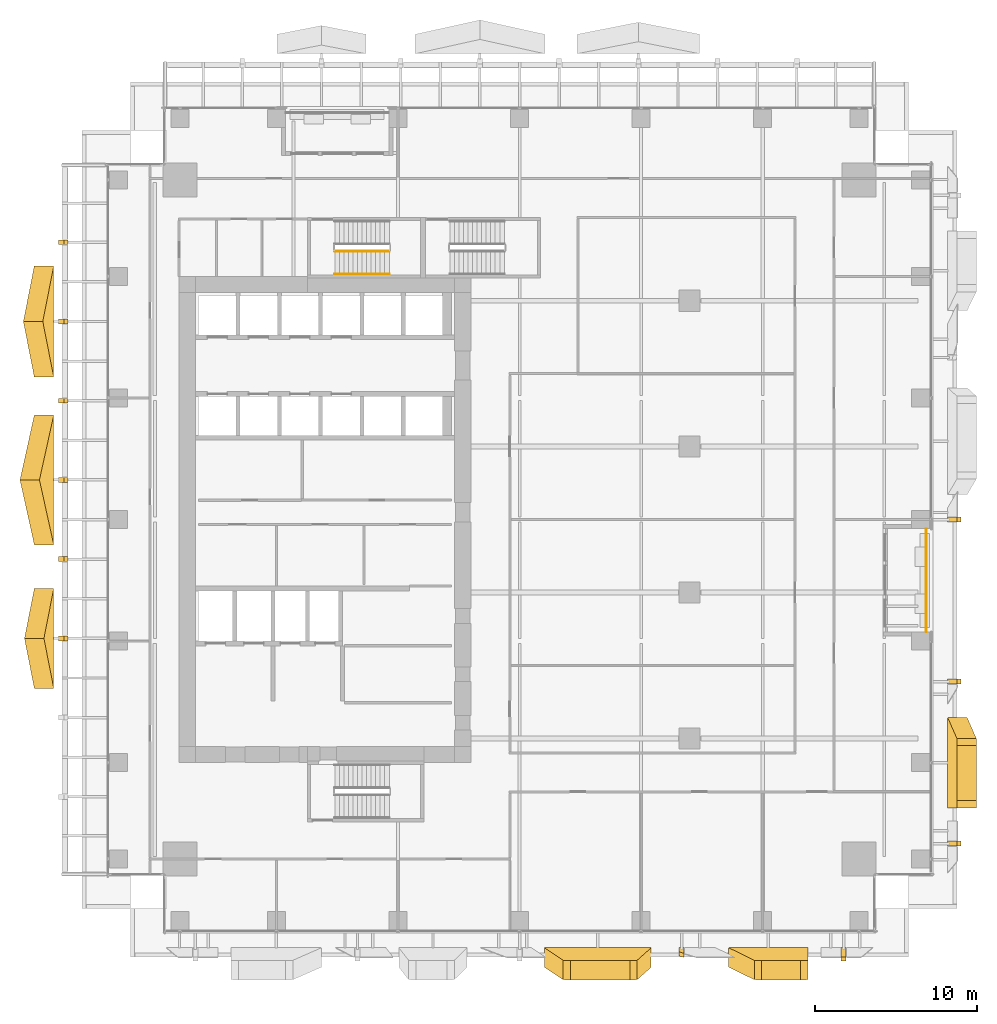
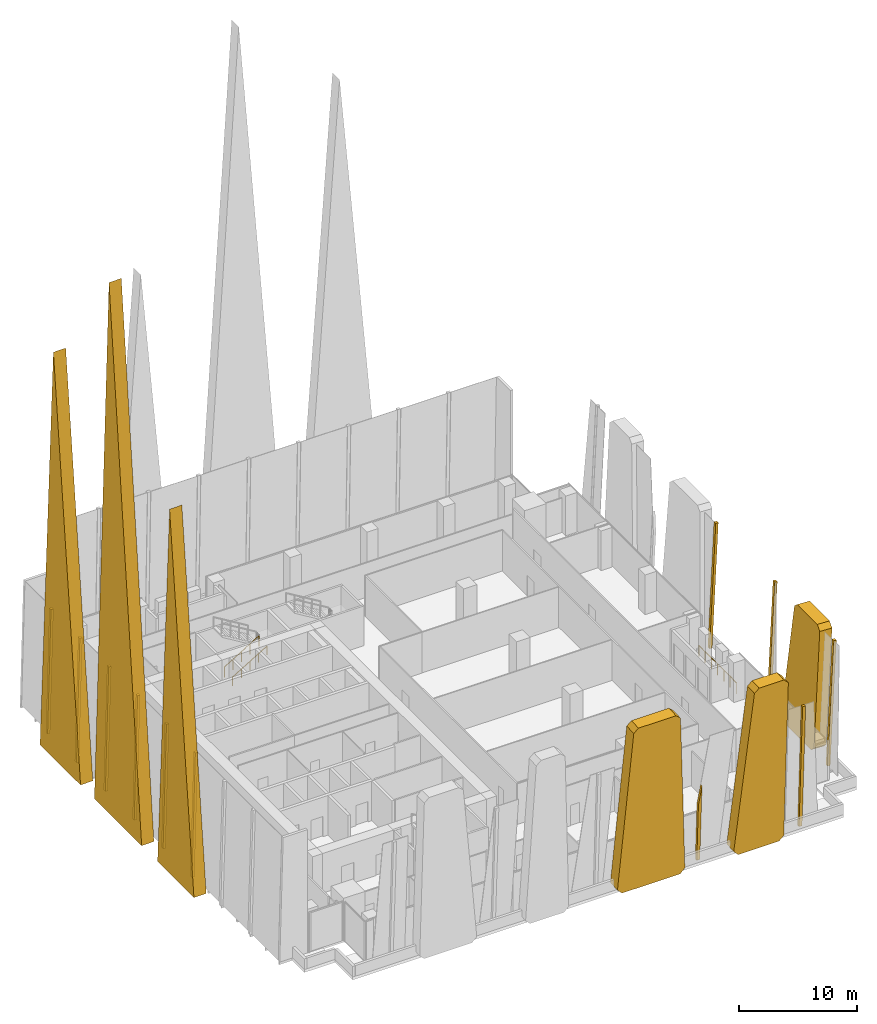
# One storey, part 34 of 37: 17 coverings, 3 railings.
"""IFC4 building model written with IfcOpenShell, lengths in metres."""

from ifc_helpers import new_model, si_unit, direction, frame, origin, origin_2d, place, context, subcontext, project, spatial, polyline, circle, outline, extrude, source, transform, mapped, material, layer, layer_set, type_object, element, save


model = new_model("IFC4")

# Units and contexts
model_context = context("Model", 3, precision=1e-05, world=origin(), true_north=direction((0.0, 1.0)))
body_context = subcontext(model_context, "Body", "Model", "MODEL_VIEW")
ifc_project = project(units=[si_unit("LENGTHUNIT", "METRE"), si_unit("AREAUNIT", "SQUARE_METRE"), si_unit("VOLUMEUNIT", "CUBIC_METRE"), si_unit("PLANEANGLEUNIT", "RADIAN"), si_unit("MASSUNIT", "GRAM", prefix="KILO")], contexts=[model_context])

# Site, building, storey
site_placement = place(None, origin())
site = spatial("IfcSite", under=ifc_project, at=site_placement, CompositionType="ELEMENT")
building_placement = place(site_placement, origin())
building = spatial("IfcBuilding", under=site, at=building_placement, Name="Khomas Fold Tower", CompositionType="ELEMENT")
storey_placement = place(building_placement, frame((0.0, 0.0, 101.5)))
storey = spatial("IfcBuildingStorey", under=building, at=storey_placement, Name="L21", CompositionType="ELEMENT", Elevation=101.5)

# Coverings
ifc_material_1 = material(Name="Natural stone cladding", Category="masonry")
ifc_layer_1 = layer(ifc_material_1, 0.25)
ifc_layer_set_1 = layer_set([ifc_layer_1], Name="Natural stone cladding")
covering_type_1 = type_object("IfcCoveringType", Name="SK-Karibib marble stone mullion", PredefinedType="CLADDING", material=ifc_layer_set_1)
covering_1_placement = place(storey_placement, frame((36.85009765625, 0.60009765625, 0.0), z_axis=(-6.4416948e-05, 0.998875051828, 0.047419686686), x_axis=(-2.12e-10, -0.047419686784, 0.998875053901)))
element("IfcCovering", 1, at=covering_1_placement, inside=storey, type_object=covering_type_1, Name="OUTER SKIN mullion L21 SM105-10", PredefinedType="CLADDING", context=body_context, shape_type="SweptSolid", body=[
    extrude(outline(polyline([(0.0, 0.0), (5.874040535404845, 3.3881317890172014e-21), (7.841584115481206, 0.29980468978278124), (-6.349509608832675e-11, 0.29980468687797374), (0.0, 0.0)])), origin(), (0.0, 0.0, -1.0), 0.25),
])
for number, where, z_axis, x_axis, name in (
    (2, (46.85009765625, 0.60009765625, 0.0), (0.0, 0.998875266546, 0.047415207295), (0.0, -0.047415207295, 0.998875266546), "OUTER SKIN mullion L21 SM107-13"),
    (3, (53.39990234375, 6.85009765625, 0.0), (-0.998875266546, 0.0, 0.047415207295), (0.047415207295, 0.0, 0.998875266546), "OUTER SKIN mullion L21 EM099-2"),
    (4, (53.39990234375, 16.85009765625, 0.0), (-0.998875266546, 0.0, 0.047415207295), (0.047415207295, 0.0, 0.998875266546), "OUTER SKIN mullion L21 EM101-5"),
    (5, (54.005126953125, 27.14990234375, 12.75), (-0.998875266546, 0.0, 0.047415207295), (-0.047415207295, 0.0, -0.998875266546), "OUTER SKIN mullion L21 EM103-6"),
):
    element("IfcCovering", number, at=place(storey_placement, frame(where, z_axis=z_axis, x_axis=x_axis)), inside=storey, type_object=covering_type_1, Name=name, PredefinedType="CLADDING", context=body_context, shape_type="SweptSolid", body=[
        extrude(outline(polyline([(0.0, 0.0), (12.764356498773964, 0.0), (12.764356498773964, 0.2998046875), (0.0, 0.2998046875), (0.0, 0.0)])), origin(), (0.0, 0.0, -1.0), 0.25),
    ])
for number, where, z_axis, x_axis, name in (
    (6, (-1.449951171875, 19.5166015625, 0.006591796875), (-0.9996570913, 0.0, 0.026185870498), (0.0, 1.0, 0.0), "OUTER SKIN mullion L21 W6"),
    (7, (-1.449951171875, 24.405517578125, 0.006591796875), (-0.9996570913, 0.0, 0.026185870498), (0.0, 1.0, 0.0), "OUTER SKIN mullion L21 W8"),
    (8, (-1.449951171875, 29.29443359375, 0.006591796875), (-0.9996570913, 0.0, 0.026185870498), (0.0, 1.0, 0.0), "OUTER SKIN mullion L21 W10"),
    (9, (-1.449951171875, 34.183349609375, 0.006591796875), (-0.9996570913, 0.0, 0.026185870498), (0.0, 1.0, 0.0), "OUTER SKIN mullion L21 W12"),
    (10, (-1.449951171875, 39.072265625, 0.006591796875), (-0.9996570913, 0.0, 0.026185870498), (0.0, 1.0, 0.0), "OUTER SKIN mullion L21 W14"),
    (11, (-1.449951171875, 43.961181640625, 0.006591796875), (-0.9996570913, 0.0, 0.026185870498), (0.0, 1.0, 0.0), "OUTER SKIN mullion L21 W16"),
):
    element("IfcCovering", number, at=place(storey_placement, frame(where, z_axis=z_axis, x_axis=x_axis)), inside=storey, type_object=covering_type_1, Name=name, PredefinedType="CLADDING", context=body_context, shape_type="SweptSolid", body=[
        extrude(outline(polyline([(0.0, 0.0), (0.300048828125, 0.0), (0.300048828125, -12.754373585666375), (0.0, -12.754373585666375), (0.0, 0.0)])), origin(), (0.0, 0.0, -1.0), 0.25),
    ])
ifc_material_2 = material(Name="Natural stone cladding", Category="masonry")
ifc_layer_2 = layer(ifc_material_2, 1.199951171875)
ifc_layer_set_2 = layer_set([ifc_layer_2], Name="Natural stone cladding")
covering_type_2 = type_object("IfcCoveringType", Name="SK-Karibib marble stone panel", PredefinedType="CLADDING", material=ifc_layer_set_2)
covering_2_placement = place(storey_placement, frame((34.257080078125, -0.19384765625, 16.72412109375), z_axis=(-1.174614e-06, 0.99887486578, 0.047423649282), x_axis=(0.053319470272, 0.047356251952, -0.997453968608)))
element("IfcCovering", 12, at=covering_2_placement, inside=storey, type_object=covering_type_2, Name="OUTER SKIN leaf L21 SS09-3", PredefinedType="CLADDING", context=body_context, shape_type="SweptSolid", body=[
    extrude(outline(polyline([(0.0, 0.0), (16.291466119546723, -1.1102230246251565e-16), (16.741503207722456, 0.473888592926883), (16.43780612729388, 6.161587127745911), (15.932317193315447, 6.584210514554689), (-0.2514541164717732, 4.567063833335523), (-0.6455996239921609, 4.0964040831955355), (-0.4496089149080346, 0.42585161254678855), (0.0, 0.0)])), origin(), (0.0, 0.0, -1.0), 1.199951171875),
])
covering_3_placement = place(storey_placement, frame((44.800048828125, -0.192626953125, 16.699951171875), z_axis=(-1.04472e-07, 0.998874952536, 0.047421821941), x_axis=(-1e-12, 0.047421821941, -0.998874952536)))
element("IfcCovering", 13, at=covering_3_placement, inside=storey, type_object=covering_type_2, Name="OUTER SKIN leaf L21 SS12-4", PredefinedType="CLADDING", context=body_context, shape_type="SweptSolid", body=[
    extrude(outline(polyline([(0.0, 0.0), (16.268291595778265, 0.0), (16.718755379434857, 0.4499511718615077), (16.718755379440815, 4.449462890611486), (16.224546969057176, 4.89721679686235), (-0.04375620431669187, 3.316406250012835), (-0.4504637836516469, 2.868652343763475), (-0.4504637836552513, 0.44995117188848754), (0.0, 0.0)])), origin(), (0.0, 0.0, -1.0), 1.199951171875),
])
covering_4_placement = place(storey_placement, frame((53.986083984375, 13.492919921875, 12.348388671875), z_axis=(-0.998875244975, -1.9117533e-05, 0.047415657871), x_axis=(-0.047143679839, 0.107355246, -0.993102373679)))
element("IfcCovering", 14, at=covering_4_placement, inside=storey, type_object=covering_type_2, Name="OUTER SKIN leaf L21 ES03-1", PredefinedType="CLADDING", context=body_context, shape_type="SweptSolid", body=[
    extrude(outline(polyline([(0.0, 0.0), (11.932401129823809, -2.220446049250313e-16), (12.380329038931768, 0.49847801714382745), (11.878280763265959, 5.147964832281797), (11.38211571519599, 5.546955964922454), (-0.41276271546736487, 4.273353390188498), (-0.8123070163607485, 3.7776441999664025), (-0.4477552300785382, 0.40151722989310434), (0.0, 0.0)])), origin(), (0.0, 0.0, -1.0), 1.199951171875),
])
covering_5_placement = place(storey_placement, frame((-1.743408203125, 16.586669921875, 0.25), z_axis=(0.999876362145, 0.0, 0.015724516653), x_axis=(0.0, 1.0, 0.0)))
element("IfcCovering", 15, at=covering_5_placement, inside=storey, type_object=covering_type_2, Name="OUTER SKIN blade L21 WZ2-1", PredefinedType="CLADDING", context=body_context, shape_type="SweptSolid", body=[
    extrude(outline(polyline([(0.0, 0.0), (6.159912109375, 0.0), (3.080078125, 38.50476064601917), (0.0, 0.0)])), origin(), (0.0, 0.0, -1.0), 1.199951171875),
])
covering_6_placement = place(storey_placement, frame((-1.743408203125, 25.4443359375, 0.25), z_axis=(0.999876343028, 0.0, 0.015725732219), x_axis=(0.0, 1.0, 0.0)))
element("IfcCovering", 16, at=covering_6_placement, inside=storey, type_object=covering_type_2, Name="OUTER SKIN blade L21 WZ2-2", PredefinedType="CLADDING", context=body_context, shape_type="SweptSolid", body=[
    extrude(outline(polyline([(0.0, 0.0), (8.0, 0.0), (4.0, 56.10703568241491), (0.0, 0.0)])), origin(), (0.0, 0.0, -1.0), 1.199951171875),
])
covering_7_placement = place(storey_placement, frame((-1.743408203125, 35.790283203125, 0.25), z_axis=(0.999876310454, 0.0, 0.015727803197), x_axis=(0.0, 1.0, 0.0)))
element("IfcCovering", 17, at=covering_7_placement, inside=storey, type_object=covering_type_2, Name="OUTER SKIN blade L21 WZ2-3", PredefinedType="CLADDING", context=body_context, shape_type="SweptSolid", body=[
    extrude(outline(polyline([(0.0, 0.0), (6.864013671875, 0.0), (3.431884765625, 42.905209269616186), (0.0, 0.0)])), origin(), (0.0, 0.0, -1.0), 1.199951171875),
])

# Railings
ifc_material_3 = material(Name="Powder-coated steel", Category="steel")
railing_type_1 = type_object("IfcRailingType", Name="Balcony guard", PredefinedType="GUARDRAIL", material=ifc_material_3)
shared_shape_1 = source(origin(), body_context, "Body", "SweptSolid", [
    extrude(circle(Radius=0.02490234375, at=origin_2d()), frame((0.0, 0.0, 1.125), z_axis=(0.0, 1.0, 0.0), x_axis=(-1.0, 0.0, 0.0)), (0.0, 0.0, 1.0), 6.33984375),
    extrude(circle(Radius=0.02001953125, at=origin_2d()), origin(), (0.0, 0.0, 1.0), 1.099853515625),
    extrude(circle(Radius=0.02001953125, at=origin_2d()), frame((0.0, 1.056640625, 0.0)), (0.0, 0.0, 1.0), 1.099853515625),
    extrude(circle(Radius=0.02001953125, at=origin_2d()), frame((0.0, 2.11328125, 0.0)), (0.0, 0.0, 1.0), 1.099853515625),
    extrude(circle(Radius=0.02001953125, at=origin_2d()), frame((0.0, 3.169921875, 0.0)), (0.0, 0.0, 1.0), 1.099853515625),
    extrude(circle(Radius=0.02001953125, at=origin_2d()), frame((0.0, 4.2265625, 0.0)), (0.0, 0.0, 1.0), 1.099853515625),
    extrude(circle(Radius=0.02001953125, at=origin_2d()), frame((0.0, 5.283203125, 0.0)), (0.0, 0.0, 1.0), 1.099853515625),
    extrude(circle(Radius=0.02001953125, at=origin_2d()), frame((0.0, 6.33984375, 0.0)), (0.0, 0.0, 1.0), 1.099853515625),
])
railing_1_placement = place(storey_placement, frame((52.10009765625, 20.080078125, -0.044921875)))
element("IfcRailing", 18, at=railing_1_placement, inside=storey, type_object=railing_type_1, Name="Balcony guard BAL-L21-E2", PredefinedType="GUARDRAIL", context=body_context, shape_type="MappedRepresentation", body=[
    mapped(shared_shape_1, transform((0.0, 0.0, 0.0))),
])
ifc_material_4 = material(Name="Steel balustrade", Category="steel")
railing_type_2 = type_object("IfcRailingType", Name="Stair guard", PredefinedType="GUARDRAIL", material=ifc_material_4)
shared_shape_2 = source(origin(), body_context, "Body", "SweptSolid", [
    extrude(circle(Radius=0.02392578125, at=origin_2d()), frame((0.0, 0.0, 1.076171875), z_axis=(0.855820338506, 0.0, 0.51727318527), x_axis=(0.0, 1.0, 0.0)), (0.0, 0.0, 1.0), 3.92578125),
    extrude(circle(Radius=0.02099609375, at=origin_2d()), origin(), (0.0, 0.0, 1.0), 1.052001953125),
    extrude(circle(Radius=0.02099609375, at=origin_2d()), frame((0.83984375, 0.0, 0.5078125)), (0.0, 0.0, 1.0), 1.052001953125),
    extrude(circle(Radius=0.02099609375, at=origin_2d()), frame((1.679931640625, 0.0, 1.015380859375)), (0.0, 0.0, 1.0), 1.052001953125),
    extrude(circle(Radius=0.02099609375, at=origin_2d()), frame((2.52001953125, 0.0, 1.52294921875)), (0.0, 0.0, 1.0), 1.052001953125),
    extrude(circle(Radius=0.02099609375, at=origin_2d()), frame((3.35986328125, 0.0, 2.03076171875)), (0.0, 0.0, 1.0), 1.052001953125),
])
railing_2_placement = place(storey_placement, frame((15.60009765625, 43.550048828125, 0.169189453125)))
element("IfcRailing", 19, at=railing_2_placement, inside=storey, type_object=railing_type_2, Name="L21 ST1 stair guard 1", PredefinedType="GUARDRAIL", context=body_context, shape_type="MappedRepresentation", body=[
    mapped(shared_shape_2, transform((0.0, 0.0, 0.0))),
])
ifc_material_5 = material(Name="Steel handrail", Category="steel")
railing_type_3 = type_object("IfcRailingType", Name="Stair handrail", PredefinedType="HANDRAIL", material=ifc_material_5)
shared_shape_3 = source(origin(), body_context, "Body", "SweptSolid", [
    extrude(circle(Radius=0.02392578125, at=origin_2d()), frame((0.0, 0.0, 0.8759765625), z_axis=(0.855820338506, 0.0, 0.51727318527), x_axis=(0.0, 1.0, 0.0)), (0.0, 0.0, 1.0), 3.92578125),
    extrude(circle(Radius=0.02099609375, at=origin_2d()), origin(), (0.0, 0.0, 1.0), 0.851806640625),
    extrude(circle(Radius=0.02099609375, at=origin_2d()), frame((0.83984375, 0.0, 0.5078125)), (0.0, 0.0, 1.0), 0.851806640625),
    extrude(circle(Radius=0.02099609375, at=origin_2d()), frame((1.679931640625, 0.0, 1.015380859375)), (0.0, 0.0, 1.0), 0.851806640625),
    extrude(circle(Radius=0.02099609375, at=origin_2d()), frame((2.52001953125, 0.0, 1.52294921875)), (0.0, 0.0, 1.0), 0.851806640625),
    extrude(circle(Radius=0.02099609375, at=origin_2d()), frame((3.35986328125, 0.0, 2.03076171875)), (0.0, 0.0, 1.0), 0.851806640625),
])
railing_3_placement = place(storey_placement, frame((15.60009765625, 42.14990234375, 0.169189453125)))
element("IfcRailing", 20, at=railing_3_placement, inside=storey, type_object=railing_type_3, Name="L21 ST1 stair handrail 1", PredefinedType="HANDRAIL", context=body_context, shape_type="MappedRepresentation", body=[
    mapped(shared_shape_3, transform((0.0, 0.0, 0.0))),
])

save(model, "model.ifc")
